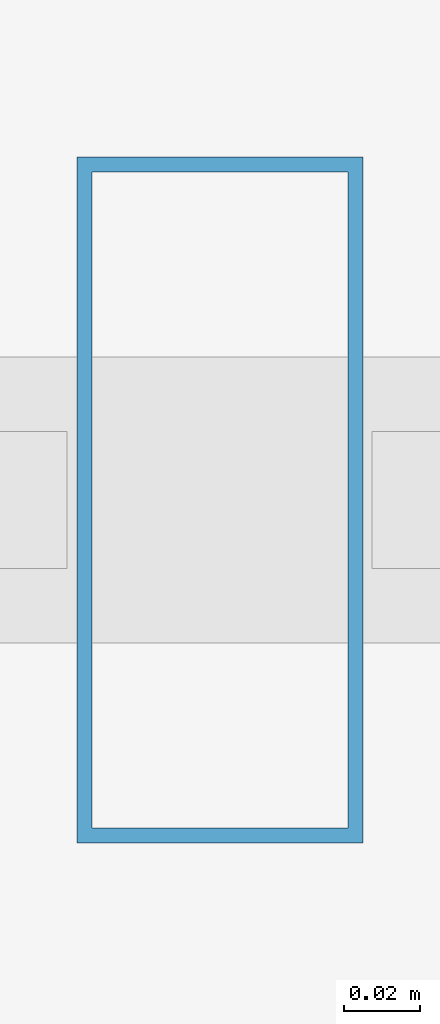
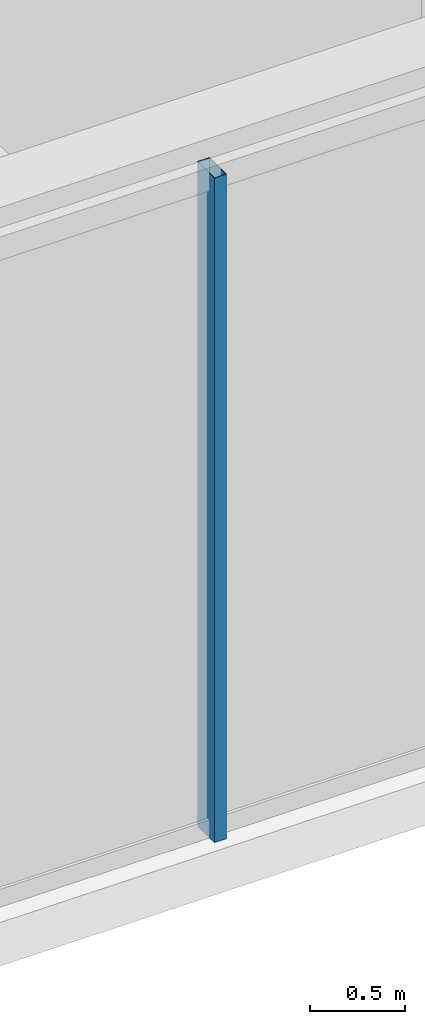
# One storey, part 8 of 32: 1 member, 1 element without a shape of its own.
"""IFC4 building model written with IfcOpenShell, lengths in metres."""

from ifc_helpers import new_model, si_unit, direction, frame, origin, origin_2d, place, context, subcontext, project, spatial, hollow_rectangle, extrude, material, layer, layer_set, material_profile, profile_set, type_object, element, aggregate, save


model = new_model("IFC4")

# Units and contexts
model_context = context("Model", 3, precision=1e-05, world=origin(), true_north=direction((0.0, 1.0)))
body_context = subcontext(model_context, "Body", "Model", "MODEL_VIEW")
ifc_project = project(units=[si_unit("LENGTHUNIT", "METRE"), si_unit("AREAUNIT", "SQUARE_METRE"), si_unit("VOLUMEUNIT", "CUBIC_METRE"), si_unit("PLANEANGLEUNIT", "RADIAN"), si_unit("MASSUNIT", "GRAM", prefix="KILO")], contexts=[model_context])

# Site, building, storey
site_placement = place(None, origin())
site = spatial("IfcSite", under=ifc_project, at=site_placement, CompositionType="ELEMENT")
building_placement = place(site_placement, origin())
building = spatial("IfcBuilding", under=site, at=building_placement, Name="Ndaravel Arena Tower", CompositionType="ELEMENT")
storey_placement = place(building_placement, frame((0.0, 0.0, 278.800048828125)))
storey = spatial("IfcBuildingStorey", under=building, at=storey_placement, Name="L68", CompositionType="ELEMENT", Elevation=278.800048828125)

# Curtain wall, member
ifc_material_1 = material(Name="Aluminium", Category="aluminium")
ifc_layer = layer(ifc_material_1, 0.179931640625)
ifc_layer_set = layer_set([ifc_layer], Name="Aluminium")
curtain_wall_type = type_object("IfcCurtainWallType", Name="CW-SYS-03", PredefinedType="NOTDEFINED", material=ifc_layer_set)
curtain_wall_placement = place(storey_placement, origin())
curtain_wall = element("IfcCurtainWall", 1, at=curtain_wall_placement, inside=storey, type_object=curtain_wall_type, Name="L68 Faceted Crystal Curtain Wall CW-L68-E01", PredefinedType="NOTDEFINED")
ifc_material_2 = material(Name="Aluminium", Category="aluminium")
ifc_material_profile = material_profile(ifc_material_2, hollow_rectangle(XDim=0.074951171875, YDim=0.179931640625, WallThickness=0.00390625, at=origin_2d()), Name="CW MULLION 75x180x4")
ifc_profile_set = profile_set([ifc_material_profile], Name="Aluminium")
member_type = type_object("IfcMemberType", Name="MEM-CW-MUL180", PredefinedType="MULLION", material=ifc_profile_set)
member_placement = place(storey_placement, frame((39.776611328125, 5.159912109375, 0.0), z_axis=(0.0, 0.0, 1.0), x_axis=(1.0, 0.0, 0.0)))
member = element("IfcMember", 2, at=member_placement, type_object=member_type, Name="CW-L68-E01 Mullion 04", PredefinedType="MULLION", context=body_context, shape_type="SweptSolid", body=[
    extrude(hollow_rectangle(XDim=0.074951171875, YDim=0.179931640625, WallThickness=0.00390625, at=origin_2d()), origin(), (0.0, 0.0, 1.0), 4.280029296875),
])
aggregate(curtain_wall, [member])

save(model, "model.ifc")
